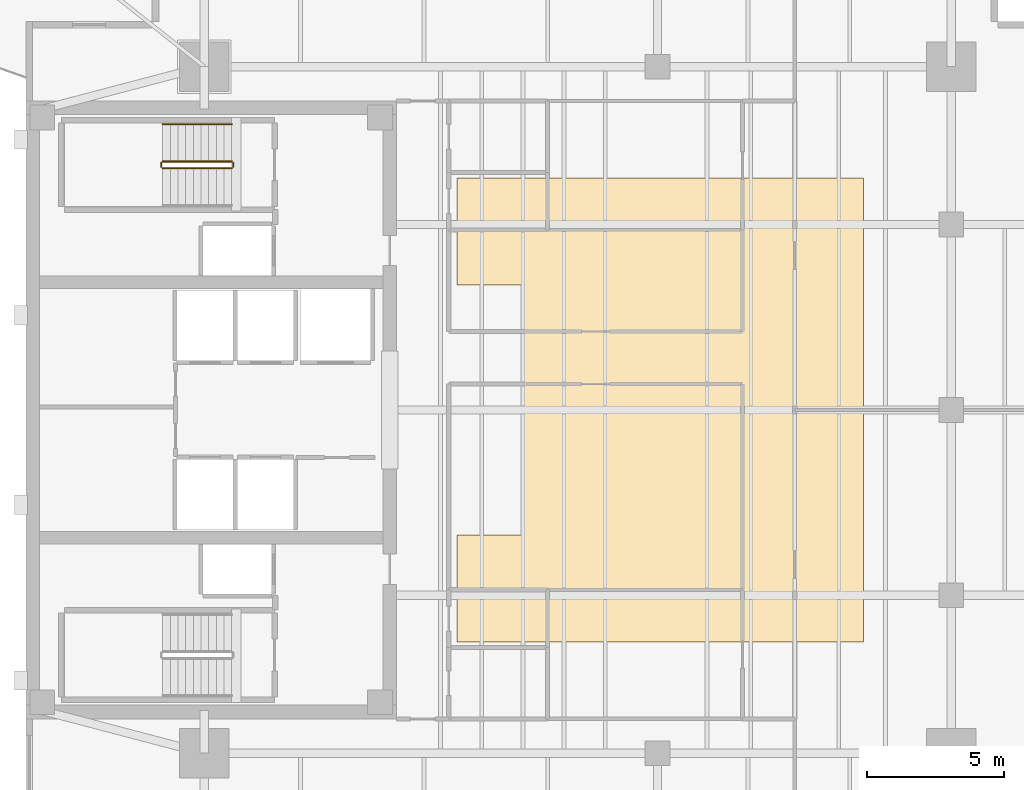
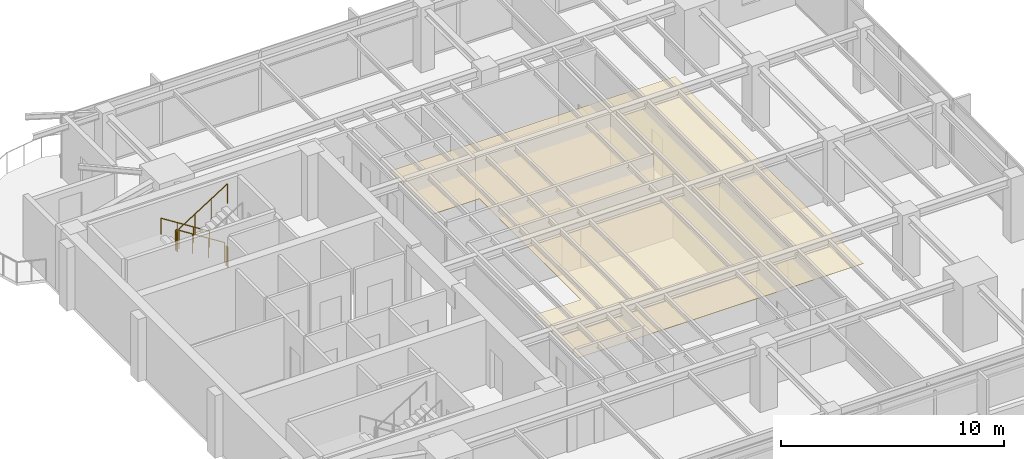
# One storey, part 13 of 14: 5 railings, 1 covering.
"""IFC4 building model written with IfcOpenShell, lengths in metres."""

from ifc_helpers import new_model, si_unit, direction, frame, origin, origin_2d, place, context, subcontext, project, spatial, polyline, circle, outline, extrude, material, layer, layer_set, type_object, element, save


model = new_model("IFC4")

# Units and contexts
model_context = context("Model", 3, precision=1e-05, world=origin(), true_north=direction((0.0, 1.0)))
body_context = subcontext(model_context, "Body", "Model", "MODEL_VIEW")
ifc_project = project(units=[si_unit("LENGTHUNIT", "METRE"), si_unit("AREAUNIT", "SQUARE_METRE"), si_unit("VOLUMEUNIT", "CUBIC_METRE"), si_unit("PLANEANGLEUNIT", "RADIAN"), si_unit("MASSUNIT", "GRAM", prefix="KILO")], contexts=[model_context])

# Site, building, storey
site_placement = place(None, origin())
site = spatial("IfcSite", under=ifc_project, at=site_placement, CompositionType="ELEMENT")
building_placement = place(site_placement, origin())
building = spatial("IfcBuilding", under=site, at=building_placement, Name="Kinhvarn Gate Tower", CompositionType="ELEMENT")
storey_placement = place(building_placement, frame((0.0, 0.0, 263.449951171875)))
storey = spatial("IfcBuildingStorey", under=building, at=storey_placement, Name="L70", CompositionType="ELEMENT", Elevation=263.449951171875)

# Covering
ifc_material_1 = material(Name="Mineral-fibre acoustic ceiling tile")
ifc_layer = layer(ifc_material_1, 0.02001953125)
ifc_layer_set = layer_set([ifc_layer], Name="Mineral-fibre acoustic ceiling tile")
covering_type = type_object("IfcCoveringType", Name="COV-CEIL-20", PredefinedType="CEILING", material=ifc_layer_set)
covering_placement = place(storey_placement, frame((0.0, 0.0, 2.650146484375)))
element("IfcCovering", 1, at=covering_placement, inside=storey, type_object=covering_type, Name="Suspended Acoustic Ceiling Tile (L70-1)", PredefinedType="CEILING", context=body_context, shape_type="SweptSolid", body=[
    extrude(outline(polyline([(35.0, 33.699951171875), (35.0, 16.800048828125), (20.199951171875, 16.800048828125), (20.199951171875, 20.699951171875), (22.60009765625, 20.699951171875), (22.60009765625, 29.800048828125), (20.199951171875, 29.800048828125), (20.199951171875, 33.699951171875), (35.0, 33.699951171875)])), origin(), (0.0, 0.0, 1.0), 0.02001953125),
])

# Railings
ifc_material_2 = material(Name="Steel S355", Category="steel")
railing_type_1 = type_object("IfcRailingType", Name="RL-ST-GRD", PredefinedType="BALUSTRADE", material=ifc_material_2)
railing_1_placement = place(storey_placement, frame((12.0, 34.300048828125, 0.177490234375)))
element("IfcRailing", 2, at=railing_1_placement, inside=storey, type_object=railing_type_1, Name="L70 ST2 stair guard 1", PredefinedType="BALUSTRADE", context=body_context, shape_type="SweptSolid", body=[
    extrude(circle(Radius=0.02392578125, at=origin_2d()), frame((0.0, 0.0, 1.076171875), z_axis=(-0.84456994832, 0.0, 0.535445237532), x_axis=(0.0, -1.0, 0.0)), (0.0, 0.0, 1.0), 2.98388671875),
    extrude(circle(Radius=0.02099609375, at=origin_2d()), origin(), (0.0, 0.0, 1.0), 1.052001953125),
    extrude(circle(Radius=0.02099609375, at=origin_2d()), frame((-0.840087890625, 0.0, 0.532470703125)), (0.0, 0.0, 1.0), 1.052001953125),
    extrude(circle(Radius=0.02099609375, at=origin_2d()), frame((-1.679931640625, 0.0, 1.065185546875)), (0.0, 0.0, 1.0), 1.052001953125),
    extrude(circle(Radius=0.02099609375, at=origin_2d()), frame((-2.52001953125, 0.0, 1.59765625)), (0.0, 0.0, 1.0), 1.052001953125),
])
railing_2_placement = place(storey_placement, frame((9.429931640625, 34.25, 1.775146484375)))
element("IfcRailing", 3, at=railing_2_placement, inside=storey, type_object=railing_type_1, Name="L70 ST2 stair guard 2", PredefinedType="BALUSTRADE", context=body_context, shape_type="SweptSolid", body=[
    extrude(circle(Radius=0.02392578125, at=origin_2d()), frame((0.0, 0.0, 1.076171875), z_axis=(0.0, -1.0, 0.0), x_axis=(1.0, 0.0, 0.0)), (0.0, 0.0, 1.0), 0.14990234375),
    extrude(circle(Radius=0.02099609375, at=origin_2d()), origin(), (0.0, 0.0, 1.0), 1.052001953125),
    extrude(circle(Radius=0.02099609375, at=origin_2d()), frame((0.0, -0.14990234375, 0.0)), (0.0, 0.0, 1.0), 1.052001953125),
])
railing_3_placement = place(storey_placement, frame((9.47998046875, 34.050048828125, 1.95263671875)))
element("IfcRailing", 4, at=railing_3_placement, inside=storey, type_object=railing_type_1, Name="L70 ST2 stair guard 3", PredefinedType="BALUSTRADE", context=body_context, shape_type="SweptSolid", body=[
    extrude(circle(Radius=0.02392578125, at=origin_2d()), frame((0.0, 0.0, 1.076171875), z_axis=(0.84460694969, 0.0, 0.535386869969), x_axis=(0.0, 1.0, 0.0)), (0.0, 0.0, 1.0), 2.983642578125),
    extrude(circle(Radius=0.02099609375, at=origin_2d()), origin(), (0.0, 0.0, 1.0), 1.052001953125),
    extrude(circle(Radius=0.02099609375, at=origin_2d()), frame((0.840087890625, 0.0, 0.532470703125)), (0.0, 0.0, 1.0), 1.052001953125),
    extrude(circle(Radius=0.02099609375, at=origin_2d()), frame((1.679931640625, 0.0, 1.06494140625)), (0.0, 0.0, 1.0), 1.052001953125),
    extrude(circle(Radius=0.02099609375, at=origin_2d()), frame((2.52001953125, 0.0, 1.597412109375)), (0.0, 0.0, 1.0), 1.052001953125),
])
railing_4_placement = place(storey_placement, frame((12.050048828125, 34.25, 0.0)))
element("IfcRailing", 5, at=railing_4_placement, inside=storey, type_object=railing_type_1, Name="L70 ST2 stair guard 4", PredefinedType="BALUSTRADE", context=body_context, shape_type="SweptSolid", body=[
    extrude(circle(Radius=0.02392578125, at=origin_2d()), frame((0.0, 0.0, 1.076171875), z_axis=(0.0, -1.0, 0.0), x_axis=(1.0, 0.0, 0.0)), (0.0, 0.0, 1.0), 0.14990234375),
    extrude(circle(Radius=0.02099609375, at=origin_2d()), origin(), (0.0, 0.0, 1.0), 1.052001953125),
    extrude(circle(Radius=0.02099609375, at=origin_2d()), frame((0.0, -0.14990234375, 0.0)), (0.0, 0.0, 1.0), 1.052001953125),
])
railing_type_2 = type_object("IfcRailingType", Name="RL-ST-HND", PredefinedType="HANDRAIL", material=ifc_material_2)
railing_5_placement = place(storey_placement, frame((12.0, 35.64990234375, 0.177490234375)))
element("IfcRailing", 6, at=railing_5_placement, inside=storey, type_object=railing_type_2, Name="L70 ST2 stair handrail 1", PredefinedType="HANDRAIL", context=body_context, shape_type="SweptSolid", body=[
    extrude(circle(Radius=0.02392578125, at=origin_2d()), frame((0.0, 0.0, 0.8759765625), z_axis=(-0.84456994832, 0.0, 0.535445237532), x_axis=(0.0, -1.0, 0.0)), (0.0, 0.0, 1.0), 2.98388671875),
    extrude(circle(Radius=0.02099609375, at=origin_2d()), origin(), (0.0, 0.0, 1.0), 0.851806640625),
    extrude(circle(Radius=0.02099609375, at=origin_2d()), frame((-0.840087890625, 0.0, 0.532470703125)), (0.0, 0.0, 1.0), 0.851806640625),
    extrude(circle(Radius=0.02099609375, at=origin_2d()), frame((-1.679931640625, 0.0, 1.065185546875)), (0.0, 0.0, 1.0), 0.851806640625),
    extrude(circle(Radius=0.02099609375, at=origin_2d()), frame((-2.52001953125, 0.0, 1.59765625)), (0.0, 0.0, 1.0), 0.851806640625),
])

save(model, "model.ifc")
